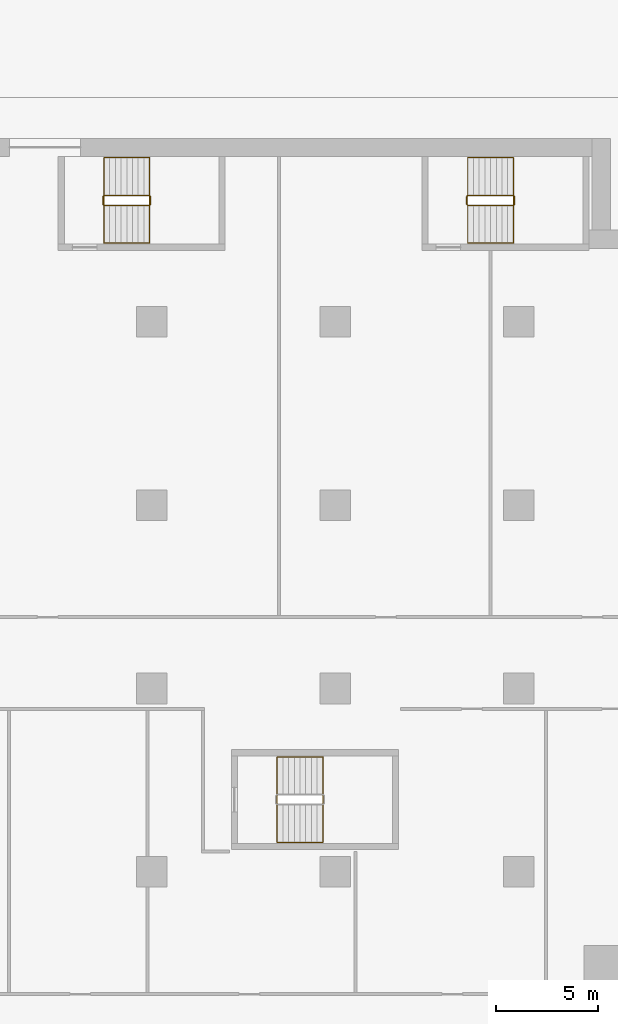
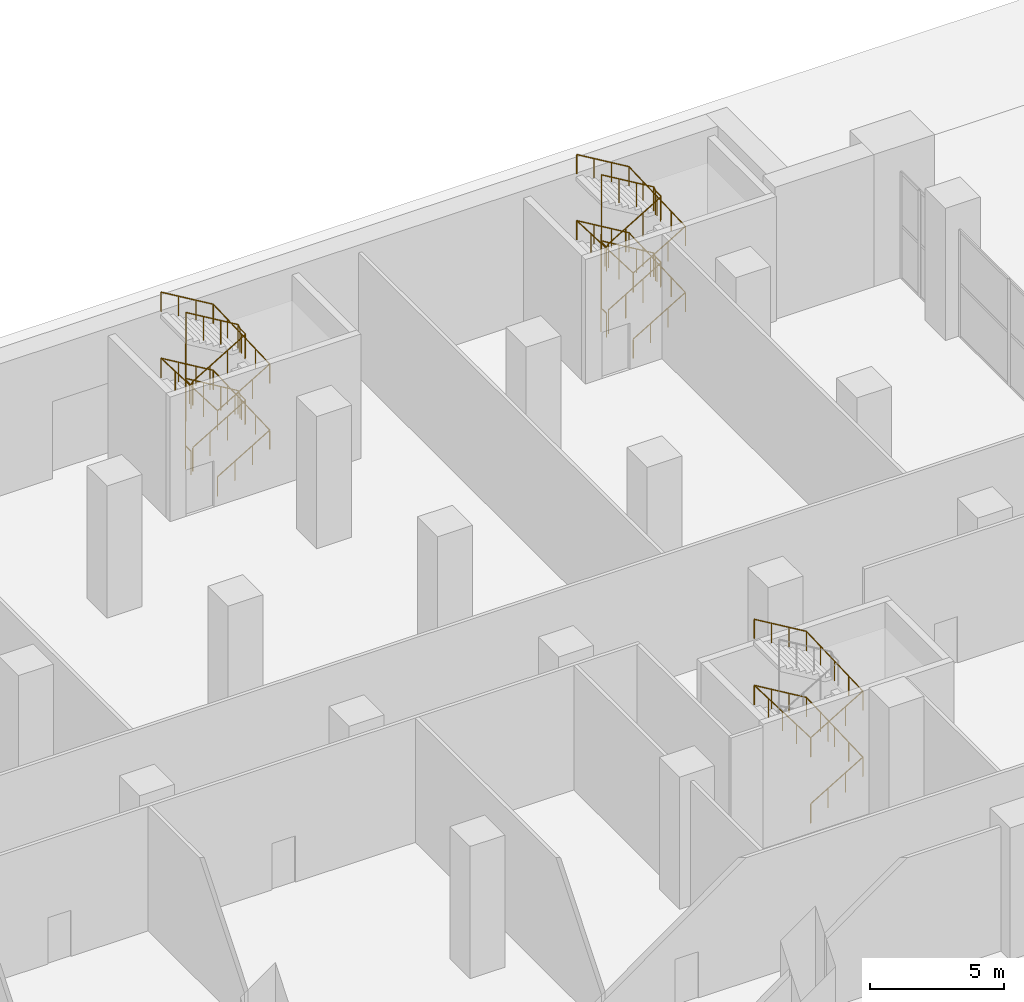
# One storey, part 42 of 47: 5 railings.
"""IFC4 building model written with IfcOpenShell, lengths in metres."""

from ifc_helpers import new_model, si_unit, direction, frame, origin, origin_2d, place, context, subcontext, project, spatial, circle, extrude, material, type_object, element, save


model = new_model("IFC4")

# Units and contexts
model_context = context("Model", 3, precision=1e-05, world=origin(), true_north=direction((0.0, 1.0)))
body_context = subcontext(model_context, "Body", "Model", "MODEL_VIEW")
ifc_project = project(units=[si_unit("LENGTHUNIT", "METRE"), si_unit("AREAUNIT", "SQUARE_METRE"), si_unit("VOLUMEUNIT", "CUBIC_METRE"), si_unit("PLANEANGLEUNIT", "RADIAN"), si_unit("MASSUNIT", "GRAM", prefix="KILO")], contexts=[model_context])

# Site, building, storey
site_placement = place(None, origin())
site = spatial("IfcSite", under=ifc_project, at=site_placement, CompositionType="ELEMENT")
building_placement = place(site_placement, origin())
building = spatial("IfcBuilding", under=site, at=building_placement, Name="Hunhe Ridgeline Campus", CompositionType="ELEMENT")
storey_placement = place(building_placement, origin())
storey = spatial("IfcBuildingStorey", under=building, at=storey_placement, Name="L00", CompositionType="ELEMENT", Elevation=0.0)

# Railings
ifc_material_1 = material(Name="Stainless steel balustrade", Category="steel")
railing_type_1 = type_object("IfcRailingType", Name="Stair guard 1100 stainless", PredefinedType="GUARDRAIL", material=ifc_material_1)
railing_1_placement = place(storey_placement, frame((69.64990234375, 95.699951171875, 0.166748046875)))
element("IfcRailing", 1, at=railing_1_placement, inside=storey, type_object=railing_type_1, Name="L00 stair E3 guard", PredefinedType="GUARDRAIL", context=body_context, shape_type="SweptSolid", body=[
    extrude(circle(Radius=0.02392578125, at=origin_2d()), frame((0.0, 0.0, 1.076171875), z_axis=(0.859305625298, 0.0, 0.511462454469), x_axis=(0.0, 1.0, 0.0)), (0.0, 0.0, 1.0), 2.606689453125),
    extrude(circle(Radius=0.02392578125, at=origin_2d()), frame((2.239990234375, 0.0, 2.4091796875), z_axis=(0.707106781187, 0.707106781187, 0.0), x_axis=(-0.707106781187, 0.707106781187, 0.0)), (0.0, 0.0, 1.0), 0.07080078125),
    extrude(circle(Radius=0.02392578125, at=origin_2d()), frame((2.2900390625, 0.050048828125, 2.4091796875), z_axis=(0.0, 1.0, 0.0), x_axis=(-1.0, 0.0, 0.0)), (0.0, 0.0, 1.0), 0.39990234375),
    extrude(circle(Radius=0.02392578125, at=origin_2d()), frame((2.2900390625, 0.449951171875, 2.4091796875), z_axis=(-0.27628659633, 0.27628659633, 0.920506074601), x_axis=(-0.707106781187, -0.707106781187, 0.0)), (0.0, 0.0, 1.0), 0.18115234375),
    extrude(circle(Radius=0.02392578125, at=origin_2d()), frame((2.239990234375, 0.5, 2.576171875), z_axis=(-0.859305625298, 0.0, 0.511462454469), x_axis=(0.0, -1.0, 0.0)), (0.0, 0.0, 1.0), 2.606689453125),
    extrude(circle(Radius=0.02392578125, at=origin_2d()), frame((0.0, 0.5, 3.9091796875), z_axis=(-0.705375805398, -0.708833529934, 0.0), x_axis=(0.708833529934, -0.705375805398, 0.0)), (0.0, 0.0, 1.0), 0.070556640625),
    extrude(circle(Radius=0.02392578125, at=origin_2d()), frame((-0.0498046875, 0.449951171875, 3.9091796875), z_axis=(0.0, -1.0, 0.0), x_axis=(1.0, 0.0, 0.0)), (0.0, 0.0, 1.0), 0.39990234375),
    extrude(circle(Radius=0.02392578125, at=origin_2d()), frame((-0.0498046875, 0.050048828125, 3.9091796875), z_axis=(0.275041040955, -0.276389281352, 0.920848191041), x_axis=(0.708833529934, 0.705375805398, 0.0)), (0.0, 0.0, 1.0), 0.18115234375),
    extrude(circle(Radius=0.02392578125, at=origin_2d()), frame((0.0, 0.0, 4.076171875), z_axis=(0.859305625298, 0.0, 0.511462454469), x_axis=(0.0, 1.0, 0.0)), (0.0, 0.0, 1.0), 2.606689453125),
    extrude(circle(Radius=0.02392578125, at=origin_2d()), frame((2.239990234375, 0.0, 5.4091796875), z_axis=(0.707106781187, 0.707106781187, 0.0), x_axis=(-0.707106781187, 0.707106781187, 0.0)), (0.0, 0.0, 1.0), 0.07080078125),
    extrude(circle(Radius=0.02392578125, at=origin_2d()), frame((2.2900390625, 0.050048828125, 5.4091796875), z_axis=(0.0, 1.0, 0.0), x_axis=(-1.0, 0.0, 0.0)), (0.0, 0.0, 1.0), 0.39990234375),
    extrude(circle(Radius=0.02392578125, at=origin_2d()), frame((2.2900390625, 0.449951171875, 5.4091796875), z_axis=(-0.27628659633, 0.27628659633, 0.920506074601), x_axis=(-0.707106781187, -0.707106781187, 0.0)), (0.0, 0.0, 1.0), 0.18115234375),
    extrude(circle(Radius=0.02392578125, at=origin_2d()), frame((2.239990234375, 0.5, 5.576171875), z_axis=(-0.859305625298, 0.0, 0.511462454469), x_axis=(0.0, -1.0, 0.0)), (0.0, 0.0, 1.0), 2.606689453125),
    extrude(circle(Radius=0.02392578125, at=origin_2d()), frame((0.0, 0.5, 6.9091796875), z_axis=(-0.008300206551, -0.008340893838, -0.999930765634), x_axis=(1.0, 0.0, 0.0)), (0.0, 0.0, 1.0), 6.00048828125),
    extrude(circle(Radius=0.02392578125, at=origin_2d()), frame((-0.0498046875, 0.449951171875, 0.9091796875), z_axis=(0.0, -1.0, 0.0), x_axis=(1.0, 0.0, 0.0)), (0.0, 0.0, 1.0), 0.39990234375),
    extrude(circle(Radius=0.02099609375, at=origin_2d()), origin(), (0.0, 0.0, 1.0), 1.052001953125),
    extrude(circle(Radius=0.02099609375, at=origin_2d()), frame((0.74658203125, 0.0, 0.4443359375)), (0.0, 0.0, 1.0), 1.052001953125),
    extrude(circle(Radius=0.02099609375, at=origin_2d()), frame((1.493408203125, 0.0, 0.888916015625)), (0.0, 0.0, 1.0), 1.052001953125),
    extrude(circle(Radius=0.02099609375, at=origin_2d()), frame((2.239990234375, 0.0, 1.333251953125)), (0.0, 0.0, 1.0), 1.052001953125),
    extrude(circle(Radius=0.02099609375, at=origin_2d()), frame((2.2900390625, 0.050048828125, 1.333251953125)), (0.0, 0.0, 1.0), 1.052001953125),
    extrude(circle(Radius=0.02099609375, at=origin_2d()), frame((2.2900390625, 0.449951171875, 1.333251953125)), (0.0, 0.0, 1.0), 1.052001953125),
    extrude(circle(Radius=0.02099609375, at=origin_2d()), frame((2.239990234375, 0.5, 1.5)), (0.0, 0.0, 1.0), 1.052001953125),
    extrude(circle(Radius=0.02099609375, at=origin_2d()), frame((1.493408203125, 0.5, 1.9443359375)), (0.0, 0.0, 1.0), 1.052001953125),
    extrude(circle(Radius=0.02099609375, at=origin_2d()), frame((0.74658203125, 0.5, 2.388916015625)), (0.0, 0.0, 1.0), 1.052001953125),
    extrude(circle(Radius=0.02099609375, at=origin_2d()), frame((0.0, 0.5, 2.833251953125)), (0.0, 0.0, 1.0), 1.052001953125),
    extrude(circle(Radius=0.02099609375, at=origin_2d()), frame((-0.0498046875, 0.449951171875, 2.833251953125)), (0.0, 0.0, 1.0), 1.052001953125),
    extrude(circle(Radius=0.02099609375, at=origin_2d()), frame((-0.0498046875, 0.050048828125, 2.833251953125)), (0.0, 0.0, 1.0), 1.052001953125),
    extrude(circle(Radius=0.02099609375, at=origin_2d()), frame((0.0, 0.0, 3.0)), (0.0, 0.0, 1.0), 1.052001953125),
    extrude(circle(Radius=0.02099609375, at=origin_2d()), frame((0.74658203125, 0.0, 3.4443359375)), (0.0, 0.0, 1.0), 1.052001953125),
    extrude(circle(Radius=0.02099609375, at=origin_2d()), frame((1.493408203125, 0.0, 3.888916015625)), (0.0, 0.0, 1.0), 1.052001953125),
    extrude(circle(Radius=0.02099609375, at=origin_2d()), frame((2.239990234375, 0.0, 4.333251953125)), (0.0, 0.0, 1.0), 1.052001953125),
    extrude(circle(Radius=0.02099609375, at=origin_2d()), frame((2.2900390625, 0.050048828125, 4.333251953125)), (0.0, 0.0, 1.0), 1.052001953125),
    extrude(circle(Radius=0.02099609375, at=origin_2d()), frame((2.2900390625, 0.449951171875, 4.333251953125)), (0.0, 0.0, 1.0), 1.052001953125),
    extrude(circle(Radius=0.02099609375, at=origin_2d()), frame((2.239990234375, 0.5, 4.5)), (0.0, 0.0, 1.0), 1.052001953125),
    extrude(circle(Radius=0.02099609375, at=origin_2d()), frame((1.493408203125, 0.5, 4.9443359375)), (0.0, 0.0, 1.0), 1.052001953125),
    extrude(circle(Radius=0.02099609375, at=origin_2d()), frame((0.74658203125, 0.5, 5.388916015625)), (0.0, 0.0, 1.0), 1.052001953125),
    extrude(circle(Radius=0.02099609375, at=origin_2d()), frame((0.0, 0.5, 5.833251953125)), (0.0, 0.0, 1.0), 1.052001953125),
    extrude(circle(Radius=0.02099609375, at=origin_2d()), frame((-0.00830078125, 0.49169921875, 4.833251953125)), (0.0, 0.0, 1.0), 1.052001953125),
    extrude(circle(Radius=0.02099609375, at=origin_2d()), frame((-0.0166015625, 0.4833984375, 3.833251953125)), (0.0, 0.0, 1.0), 1.052001953125),
    extrude(circle(Radius=0.02099609375, at=origin_2d()), frame((-0.02490234375, 0.47509765625, 2.833251953125)), (0.0, 0.0, 1.0), 1.052001953125),
    extrude(circle(Radius=0.02099609375, at=origin_2d()), frame((-0.033203125, 0.466552734375, 1.833251953125)), (0.0, 0.0, 1.0), 1.052001953125),
    extrude(circle(Radius=0.02099609375, at=origin_2d()), frame((-0.04150390625, 0.458251953125, 0.833251953125)), (0.0, 0.0, 1.0), 1.052001953125),
    extrude(circle(Radius=0.02099609375, at=origin_2d()), frame((-0.0498046875, 0.449951171875, -0.166748046875)), (0.0, 0.0, 1.0), 1.052001953125),
    extrude(circle(Radius=0.02099609375, at=origin_2d()), frame((-0.0498046875, 0.050048828125, -0.166748046875)), (0.0, 0.0, 1.0), 1.052001953125),
])
railing_2_placement = place(storey_placement, frame((87.5, 95.699951171875, 0.166748046875)))
element("IfcRailing", 2, at=railing_2_placement, inside=storey, type_object=railing_type_1, Name="L00 stair E4 guard", PredefinedType="GUARDRAIL", context=body_context, shape_type="SweptSolid", body=[
    extrude(circle(Radius=0.02392578125, at=origin_2d()), frame((0.0, 0.0, 1.076171875), z_axis=(0.859305625298, 0.0, 0.511462454469), x_axis=(0.0, 1.0, 0.0)), (0.0, 0.0, 1.0), 2.606689453125),
    extrude(circle(Radius=0.02392578125, at=origin_2d()), frame((2.239990234375, 0.0, 2.4091796875), z_axis=(0.707106781187, 0.707106781187, 0.0), x_axis=(-0.707106781187, 0.707106781187, 0.0)), (0.0, 0.0, 1.0), 0.07080078125),
    extrude(circle(Radius=0.02392578125, at=origin_2d()), frame((2.2900390625, 0.050048828125, 2.4091796875), z_axis=(0.0, 1.0, 0.0), x_axis=(-1.0, 0.0, 0.0)), (0.0, 0.0, 1.0), 0.39990234375),
    extrude(circle(Radius=0.02392578125, at=origin_2d()), frame((2.2900390625, 0.449951171875, 2.4091796875), z_axis=(-0.27628659633, 0.27628659633, 0.920506074601), x_axis=(-0.707106781187, -0.707106781187, 0.0)), (0.0, 0.0, 1.0), 0.18115234375),
    extrude(circle(Radius=0.02392578125, at=origin_2d()), frame((2.239990234375, 0.5, 2.576171875), z_axis=(-0.859305625298, 0.0, 0.511462454469), x_axis=(0.0, -1.0, 0.0)), (0.0, 0.0, 1.0), 2.606689453125),
    extrude(circle(Radius=0.02392578125, at=origin_2d()), frame((0.0, 0.5, 3.9091796875), z_axis=(-0.707106781187, -0.707106781187, 0.0), x_axis=(0.707106781187, -0.707106781187, 0.0)), (0.0, 0.0, 1.0), 0.07080078125),
    extrude(circle(Radius=0.02392578125, at=origin_2d()), frame((-0.050048828125, 0.449951171875, 3.9091796875), z_axis=(0.0, -1.0, 0.0), x_axis=(1.0, 0.0, 0.0)), (0.0, 0.0, 1.0), 0.39990234375),
    extrude(circle(Radius=0.02392578125, at=origin_2d()), frame((-0.050048828125, 0.050048828125, 3.9091796875), z_axis=(0.27628659633, -0.27628659633, 0.920506074601), x_axis=(0.707106781187, 0.707106781187, 0.0)), (0.0, 0.0, 1.0), 0.18115234375),
    extrude(circle(Radius=0.02392578125, at=origin_2d()), frame((0.0, 0.0, 4.076171875), z_axis=(0.859305625298, 0.0, 0.511462454469), x_axis=(0.0, 1.0, 0.0)), (0.0, 0.0, 1.0), 2.606689453125),
    extrude(circle(Radius=0.02392578125, at=origin_2d()), frame((2.239990234375, 0.0, 5.4091796875), z_axis=(0.707106781187, 0.707106781187, 0.0), x_axis=(-0.707106781187, 0.707106781187, 0.0)), (0.0, 0.0, 1.0), 0.07080078125),
    extrude(circle(Radius=0.02392578125, at=origin_2d()), frame((2.2900390625, 0.050048828125, 5.4091796875), z_axis=(0.0, 1.0, 0.0), x_axis=(-1.0, 0.0, 0.0)), (0.0, 0.0, 1.0), 0.39990234375),
    extrude(circle(Radius=0.02392578125, at=origin_2d()), frame((2.2900390625, 0.449951171875, 5.4091796875), z_axis=(-0.27628659633, 0.27628659633, 0.920506074601), x_axis=(-0.707106781187, -0.707106781187, 0.0)), (0.0, 0.0, 1.0), 0.18115234375),
    extrude(circle(Radius=0.02392578125, at=origin_2d()), frame((2.239990234375, 0.5, 5.576171875), z_axis=(-0.859305625298, 0.0, 0.511462454469), x_axis=(0.0, -1.0, 0.0)), (0.0, 0.0, 1.0), 2.606689453125),
    extrude(circle(Radius=0.02392578125, at=origin_2d()), frame((0.0, 0.5, 6.9091796875), z_axis=(-0.008340891014, -0.008340891014, -0.999930427117), x_axis=(1.0, 0.0, 0.0)), (0.0, 0.0, 1.0), 6.00048828125),
    extrude(circle(Radius=0.02392578125, at=origin_2d()), frame((-0.050048828125, 0.449951171875, 0.9091796875), z_axis=(0.0, -1.0, 0.0), x_axis=(1.0, 0.0, 0.0)), (0.0, 0.0, 1.0), 0.39990234375),
    extrude(circle(Radius=0.02099609375, at=origin_2d()), origin(), (0.0, 0.0, 1.0), 1.052001953125),
    extrude(circle(Radius=0.02099609375, at=origin_2d()), frame((0.74658203125, 0.0, 0.4443359375)), (0.0, 0.0, 1.0), 1.052001953125),
    extrude(circle(Radius=0.02099609375, at=origin_2d()), frame((1.493408203125, 0.0, 0.888916015625)), (0.0, 0.0, 1.0), 1.052001953125),
    extrude(circle(Radius=0.02099609375, at=origin_2d()), frame((2.239990234375, 0.0, 1.333251953125)), (0.0, 0.0, 1.0), 1.052001953125),
    extrude(circle(Radius=0.02099609375, at=origin_2d()), frame((2.2900390625, 0.050048828125, 1.333251953125)), (0.0, 0.0, 1.0), 1.052001953125),
    extrude(circle(Radius=0.02099609375, at=origin_2d()), frame((2.2900390625, 0.449951171875, 1.333251953125)), (0.0, 0.0, 1.0), 1.052001953125),
    extrude(circle(Radius=0.02099609375, at=origin_2d()), frame((2.239990234375, 0.5, 1.5)), (0.0, 0.0, 1.0), 1.052001953125),
    extrude(circle(Radius=0.02099609375, at=origin_2d()), frame((1.493408203125, 0.5, 1.9443359375)), (0.0, 0.0, 1.0), 1.052001953125),
    extrude(circle(Radius=0.02099609375, at=origin_2d()), frame((0.74658203125, 0.5, 2.388916015625)), (0.0, 0.0, 1.0), 1.052001953125),
    extrude(circle(Radius=0.02099609375, at=origin_2d()), frame((0.0, 0.5, 2.833251953125)), (0.0, 0.0, 1.0), 1.052001953125),
    extrude(circle(Radius=0.02099609375, at=origin_2d()), frame((-0.050048828125, 0.449951171875, 2.833251953125)), (0.0, 0.0, 1.0), 1.052001953125),
    extrude(circle(Radius=0.02099609375, at=origin_2d()), frame((-0.050048828125, 0.050048828125, 2.833251953125)), (0.0, 0.0, 1.0), 1.052001953125),
    extrude(circle(Radius=0.02099609375, at=origin_2d()), frame((0.0, 0.0, 3.0)), (0.0, 0.0, 1.0), 1.052001953125),
    extrude(circle(Radius=0.02099609375, at=origin_2d()), frame((0.74658203125, 0.0, 3.4443359375)), (0.0, 0.0, 1.0), 1.052001953125),
    extrude(circle(Radius=0.02099609375, at=origin_2d()), frame((1.493408203125, 0.0, 3.888916015625)), (0.0, 0.0, 1.0), 1.052001953125),
    extrude(circle(Radius=0.02099609375, at=origin_2d()), frame((2.239990234375, 0.0, 4.333251953125)), (0.0, 0.0, 1.0), 1.052001953125),
    extrude(circle(Radius=0.02099609375, at=origin_2d()), frame((2.2900390625, 0.050048828125, 4.333251953125)), (0.0, 0.0, 1.0), 1.052001953125),
    extrude(circle(Radius=0.02099609375, at=origin_2d()), frame((2.2900390625, 0.449951171875, 4.333251953125)), (0.0, 0.0, 1.0), 1.052001953125),
    extrude(circle(Radius=0.02099609375, at=origin_2d()), frame((2.239990234375, 0.5, 4.5)), (0.0, 0.0, 1.0), 1.052001953125),
    extrude(circle(Radius=0.02099609375, at=origin_2d()), frame((1.493408203125, 0.5, 4.9443359375)), (0.0, 0.0, 1.0), 1.052001953125),
    extrude(circle(Radius=0.02099609375, at=origin_2d()), frame((0.74658203125, 0.5, 5.388916015625)), (0.0, 0.0, 1.0), 1.052001953125),
    extrude(circle(Radius=0.02099609375, at=origin_2d()), frame((0.0, 0.5, 5.833251953125)), (0.0, 0.0, 1.0), 1.052001953125),
    extrude(circle(Radius=0.02099609375, at=origin_2d()), frame((-0.00830078125, 0.49169921875, 4.833251953125)), (0.0, 0.0, 1.0), 1.052001953125),
    extrude(circle(Radius=0.02099609375, at=origin_2d()), frame((-0.0166015625, 0.4833984375, 3.833251953125)), (0.0, 0.0, 1.0), 1.052001953125),
    extrude(circle(Radius=0.02099609375, at=origin_2d()), frame((-0.02490234375, 0.47509765625, 2.833251953125)), (0.0, 0.0, 1.0), 1.052001953125),
    extrude(circle(Radius=0.02099609375, at=origin_2d()), frame((-0.033447265625, 0.466552734375, 1.833251953125)), (0.0, 0.0, 1.0), 1.052001953125),
    extrude(circle(Radius=0.02099609375, at=origin_2d()), frame((-0.041748046875, 0.458251953125, 0.833251953125)), (0.0, 0.0, 1.0), 1.052001953125),
    extrude(circle(Radius=0.02099609375, at=origin_2d()), frame((-0.050048828125, 0.449951171875, -0.166748046875)), (0.0, 0.0, 1.0), 1.052001953125),
    extrude(circle(Radius=0.02099609375, at=origin_2d()), frame((-0.050048828125, 0.050048828125, -0.166748046875)), (0.0, 0.0, 1.0), 1.052001953125),
])
ifc_material_2 = material(Name="Stainless steel handrail", Category="steel")
railing_type_2 = type_object("IfcRailingType", Name="Stair handrail 900 stainless", PredefinedType="HANDRAIL", material=ifc_material_2)
railing_3_placement = place(storey_placement, frame((69.64990234375, 93.85009765625, 0.166748046875)))
element("IfcRailing", 3, at=railing_3_placement, inside=storey, type_object=railing_type_2, Name="L00 stair E3 handrail", PredefinedType="HANDRAIL", context=body_context, shape_type="SweptSolid", body=[
    extrude(circle(Radius=0.02392578125, at=origin_2d()), frame((0.0, 0.0, 0.8759765625), z_axis=(0.859305625298, 0.0, 0.511462454469), x_axis=(0.0, 1.0, 0.0)), (0.0, 0.0, 1.0), 2.606689453125),
    extrude(circle(Radius=0.02392578125, at=origin_2d()), frame((2.239990234375, 0.0, 2.208984375), z_axis=(0.0, 0.999212791134, 0.039671123429), x_axis=(-1.0, 0.0, 0.0)), (0.0, 0.0, 1.0), 4.203369140625),
    extrude(circle(Radius=0.02392578125, at=origin_2d()), frame((2.239990234375, 4.199951171875, 2.3759765625), z_axis=(-0.859305625298, 0.0, 0.511462454469), x_axis=(0.0, -1.0, 0.0)), (0.0, 0.0, 1.0), 2.606689453125),
    extrude(circle(Radius=0.02392578125, at=origin_2d()), frame((0.0, 4.199951171875, 3.708984375), z_axis=(0.0, -0.999212791134, 0.039671123429), x_axis=(1.0, 0.0, 0.0)), (0.0, 0.0, 1.0), 4.203369140625),
    extrude(circle(Radius=0.02392578125, at=origin_2d()), frame((0.0, 0.0, 3.8759765625), z_axis=(0.859305625298, 0.0, 0.511462454469), x_axis=(0.0, 1.0, 0.0)), (0.0, 0.0, 1.0), 2.606689453125),
    extrude(circle(Radius=0.02392578125, at=origin_2d()), frame((2.239990234375, 0.0, 5.208984375), z_axis=(0.0, 0.999212791134, 0.039671123429), x_axis=(-1.0, 0.0, 0.0)), (0.0, 0.0, 1.0), 4.203369140625),
    extrude(circle(Radius=0.02392578125, at=origin_2d()), frame((2.239990234375, 4.199951171875, 5.3759765625), z_axis=(-0.859305625298, 0.0, 0.511462454469), x_axis=(0.0, -1.0, 0.0)), (0.0, 0.0, 1.0), 2.606689453125),
    extrude(circle(Radius=0.02099609375, at=origin_2d()), origin(), (0.0, 0.0, 1.0), 0.851806640625),
    extrude(circle(Radius=0.02099609375, at=origin_2d()), frame((0.74658203125, 0.0, 0.4443359375)), (0.0, 0.0, 1.0), 0.851806640625),
    extrude(circle(Radius=0.02099609375, at=origin_2d()), frame((1.493408203125, 0.0, 0.888916015625)), (0.0, 0.0, 1.0), 0.851806640625),
    extrude(circle(Radius=0.02099609375, at=origin_2d()), frame((2.239990234375, 0.0, 1.333251953125)), (0.0, 0.0, 1.0), 0.851806640625),
    extrude(circle(Radius=0.02099609375, at=origin_2d()), frame((2.239990234375, 1.050048828125, 1.375)), (0.0, 0.0, 1.0), 0.851806640625),
    extrude(circle(Radius=0.02099609375, at=origin_2d()), frame((2.239990234375, 2.10009765625, 1.41650390625)), (0.0, 0.0, 1.0), 0.851806640625),
    extrude(circle(Radius=0.02099609375, at=origin_2d()), frame((2.239990234375, 3.14990234375, 1.458251953125)), (0.0, 0.0, 1.0), 0.851806640625),
    extrude(circle(Radius=0.02099609375, at=origin_2d()), frame((2.239990234375, 4.199951171875, 1.5)), (0.0, 0.0, 1.0), 0.851806640625),
    extrude(circle(Radius=0.02099609375, at=origin_2d()), frame((1.493408203125, 4.199951171875, 1.9443359375)), (0.0, 0.0, 1.0), 0.851806640625),
    extrude(circle(Radius=0.02099609375, at=origin_2d()), frame((0.74658203125, 4.199951171875, 2.388916015625)), (0.0, 0.0, 1.0), 0.851806640625),
    extrude(circle(Radius=0.02099609375, at=origin_2d()), frame((0.0, 4.199951171875, 2.833251953125)), (0.0, 0.0, 1.0), 0.851806640625),
    extrude(circle(Radius=0.02099609375, at=origin_2d()), frame((0.0, 3.14990234375, 2.875)), (0.0, 0.0, 1.0), 0.851806640625),
    extrude(circle(Radius=0.02099609375, at=origin_2d()), frame((0.0, 2.10009765625, 2.91650390625)), (0.0, 0.0, 1.0), 0.851806640625),
    extrude(circle(Radius=0.02099609375, at=origin_2d()), frame((0.0, 1.050048828125, 2.958251953125)), (0.0, 0.0, 1.0), 0.851806640625),
    extrude(circle(Radius=0.02099609375, at=origin_2d()), frame((0.0, 0.0, 3.0)), (0.0, 0.0, 1.0), 0.851806640625),
    extrude(circle(Radius=0.02099609375, at=origin_2d()), frame((0.74658203125, 0.0, 3.4443359375)), (0.0, 0.0, 1.0), 0.851806640625),
    extrude(circle(Radius=0.02099609375, at=origin_2d()), frame((1.493408203125, 0.0, 3.888916015625)), (0.0, 0.0, 1.0), 0.851806640625),
    extrude(circle(Radius=0.02099609375, at=origin_2d()), frame((2.239990234375, 0.0, 4.333251953125)), (0.0, 0.0, 1.0), 0.851806640625),
    extrude(circle(Radius=0.02099609375, at=origin_2d()), frame((2.239990234375, 1.050048828125, 4.375)), (0.0, 0.0, 1.0), 0.851806640625),
    extrude(circle(Radius=0.02099609375, at=origin_2d()), frame((2.239990234375, 2.10009765625, 4.41650390625)), (0.0, 0.0, 1.0), 0.851806640625),
    extrude(circle(Radius=0.02099609375, at=origin_2d()), frame((2.239990234375, 3.14990234375, 4.458251953125)), (0.0, 0.0, 1.0), 0.851806640625),
    extrude(circle(Radius=0.02099609375, at=origin_2d()), frame((2.239990234375, 4.199951171875, 4.5)), (0.0, 0.0, 1.0), 0.851806640625),
    extrude(circle(Radius=0.02099609375, at=origin_2d()), frame((1.493408203125, 4.199951171875, 4.9443359375)), (0.0, 0.0, 1.0), 0.851806640625),
    extrude(circle(Radius=0.02099609375, at=origin_2d()), frame((0.74658203125, 4.199951171875, 5.388916015625)), (0.0, 0.0, 1.0), 0.851806640625),
    extrude(circle(Radius=0.02099609375, at=origin_2d()), frame((0.0, 4.199951171875, 5.833251953125)), (0.0, 0.0, 1.0), 0.851806640625),
])
railing_4_placement = place(storey_placement, frame((87.5, 93.85009765625, 0.166748046875)))
element("IfcRailing", 4, at=railing_4_placement, inside=storey, type_object=railing_type_2, Name="L00 stair E4 handrail", PredefinedType="HANDRAIL", context=body_context, shape_type="SweptSolid", body=[
    extrude(circle(Radius=0.02392578125, at=origin_2d()), frame((0.0, 0.0, 0.8759765625), z_axis=(0.859305625298, 0.0, 0.511462454469), x_axis=(0.0, 1.0, 0.0)), (0.0, 0.0, 1.0), 2.606689453125),
    extrude(circle(Radius=0.02392578125, at=origin_2d()), frame((2.239990234375, 0.0, 2.208984375), z_axis=(0.0, 0.999212791134, 0.039671123429), x_axis=(-1.0, 0.0, 0.0)), (0.0, 0.0, 1.0), 4.203369140625),
    extrude(circle(Radius=0.02392578125, at=origin_2d()), frame((2.239990234375, 4.199951171875, 2.3759765625), z_axis=(-0.859305625298, 0.0, 0.511462454469), x_axis=(0.0, -1.0, 0.0)), (0.0, 0.0, 1.0), 2.606689453125),
    extrude(circle(Radius=0.02392578125, at=origin_2d()), frame((0.0, 4.199951171875, 3.708984375), z_axis=(0.0, -0.999212791134, 0.039671123429), x_axis=(1.0, 0.0, 0.0)), (0.0, 0.0, 1.0), 4.203369140625),
    extrude(circle(Radius=0.02392578125, at=origin_2d()), frame((0.0, 0.0, 3.8759765625), z_axis=(0.859305625298, 0.0, 0.511462454469), x_axis=(0.0, 1.0, 0.0)), (0.0, 0.0, 1.0), 2.606689453125),
    extrude(circle(Radius=0.02392578125, at=origin_2d()), frame((2.239990234375, 0.0, 5.208984375), z_axis=(0.0, 0.999212791134, 0.039671123429), x_axis=(-1.0, 0.0, 0.0)), (0.0, 0.0, 1.0), 4.203369140625),
    extrude(circle(Radius=0.02392578125, at=origin_2d()), frame((2.239990234375, 4.199951171875, 5.3759765625), z_axis=(-0.859305625298, 0.0, 0.511462454469), x_axis=(0.0, -1.0, 0.0)), (0.0, 0.0, 1.0), 2.606689453125),
    extrude(circle(Radius=0.02099609375, at=origin_2d()), origin(), (0.0, 0.0, 1.0), 0.851806640625),
    extrude(circle(Radius=0.02099609375, at=origin_2d()), frame((0.74658203125, 0.0, 0.4443359375)), (0.0, 0.0, 1.0), 0.851806640625),
    extrude(circle(Radius=0.02099609375, at=origin_2d()), frame((1.493408203125, 0.0, 0.888916015625)), (0.0, 0.0, 1.0), 0.851806640625),
    extrude(circle(Radius=0.02099609375, at=origin_2d()), frame((2.239990234375, 0.0, 1.333251953125)), (0.0, 0.0, 1.0), 0.851806640625),
    extrude(circle(Radius=0.02099609375, at=origin_2d()), frame((2.239990234375, 1.050048828125, 1.375)), (0.0, 0.0, 1.0), 0.851806640625),
    extrude(circle(Radius=0.02099609375, at=origin_2d()), frame((2.239990234375, 2.10009765625, 1.41650390625)), (0.0, 0.0, 1.0), 0.851806640625),
    extrude(circle(Radius=0.02099609375, at=origin_2d()), frame((2.239990234375, 3.14990234375, 1.458251953125)), (0.0, 0.0, 1.0), 0.851806640625),
    extrude(circle(Radius=0.02099609375, at=origin_2d()), frame((2.239990234375, 4.199951171875, 1.5)), (0.0, 0.0, 1.0), 0.851806640625),
    extrude(circle(Radius=0.02099609375, at=origin_2d()), frame((1.493408203125, 4.199951171875, 1.9443359375)), (0.0, 0.0, 1.0), 0.851806640625),
    extrude(circle(Radius=0.02099609375, at=origin_2d()), frame((0.74658203125, 4.199951171875, 2.388916015625)), (0.0, 0.0, 1.0), 0.851806640625),
    extrude(circle(Radius=0.02099609375, at=origin_2d()), frame((0.0, 4.199951171875, 2.833251953125)), (0.0, 0.0, 1.0), 0.851806640625),
    extrude(circle(Radius=0.02099609375, at=origin_2d()), frame((0.0, 3.14990234375, 2.875)), (0.0, 0.0, 1.0), 0.851806640625),
    extrude(circle(Radius=0.02099609375, at=origin_2d()), frame((0.0, 2.10009765625, 2.91650390625)), (0.0, 0.0, 1.0), 0.851806640625),
    extrude(circle(Radius=0.02099609375, at=origin_2d()), frame((0.0, 1.050048828125, 2.958251953125)), (0.0, 0.0, 1.0), 0.851806640625),
    extrude(circle(Radius=0.02099609375, at=origin_2d()), frame((0.0, 0.0, 3.0)), (0.0, 0.0, 1.0), 0.851806640625),
    extrude(circle(Radius=0.02099609375, at=origin_2d()), frame((0.74658203125, 0.0, 3.4443359375)), (0.0, 0.0, 1.0), 0.851806640625),
    extrude(circle(Radius=0.02099609375, at=origin_2d()), frame((1.493408203125, 0.0, 3.888916015625)), (0.0, 0.0, 1.0), 0.851806640625),
    extrude(circle(Radius=0.02099609375, at=origin_2d()), frame((2.239990234375, 0.0, 4.333251953125)), (0.0, 0.0, 1.0), 0.851806640625),
    extrude(circle(Radius=0.02099609375, at=origin_2d()), frame((2.239990234375, 1.050048828125, 4.375)), (0.0, 0.0, 1.0), 0.851806640625),
    extrude(circle(Radius=0.02099609375, at=origin_2d()), frame((2.239990234375, 2.10009765625, 4.41650390625)), (0.0, 0.0, 1.0), 0.851806640625),
    extrude(circle(Radius=0.02099609375, at=origin_2d()), frame((2.239990234375, 3.14990234375, 4.458251953125)), (0.0, 0.0, 1.0), 0.851806640625),
    extrude(circle(Radius=0.02099609375, at=origin_2d()), frame((2.239990234375, 4.199951171875, 4.5)), (0.0, 0.0, 1.0), 0.851806640625),
    extrude(circle(Radius=0.02099609375, at=origin_2d()), frame((1.493408203125, 4.199951171875, 4.9443359375)), (0.0, 0.0, 1.0), 0.851806640625),
    extrude(circle(Radius=0.02099609375, at=origin_2d()), frame((0.74658203125, 4.199951171875, 5.388916015625)), (0.0, 0.0, 1.0), 0.851806640625),
    extrude(circle(Radius=0.02099609375, at=origin_2d()), frame((0.0, 4.199951171875, 5.833251953125)), (0.0, 0.0, 1.0), 0.851806640625),
])
railing_5_placement = place(storey_placement, frame((78.14990234375, 64.449951171875, 0.166748046875)))
element("IfcRailing", 5, at=railing_5_placement, inside=storey, type_object=railing_type_2, Name="L00 stair E5 handrail", PredefinedType="HANDRAIL", context=body_context, shape_type="SweptSolid", body=[
    extrude(circle(Radius=0.02392578125, at=origin_2d()), frame((0.0, 0.0, 0.8759765625), z_axis=(0.859305625298, 0.0, 0.511462454469), x_axis=(0.0, 1.0, 0.0)), (0.0, 0.0, 1.0), 2.606689453125),
    extrude(circle(Radius=0.02392578125, at=origin_2d()), frame((2.239990234375, 0.0, 2.208984375), z_axis=(0.0, 0.999212791134, 0.039671123429), x_axis=(-1.0, 0.0, 0.0)), (0.0, 0.0, 1.0), 4.203369140625),
    extrude(circle(Radius=0.02392578125, at=origin_2d()), frame((2.239990234375, 4.199951171875, 2.3759765625), z_axis=(-0.859305625298, 0.0, 0.511462454469), x_axis=(0.0, -1.0, 0.0)), (0.0, 0.0, 1.0), 2.606689453125),
    extrude(circle(Radius=0.02392578125, at=origin_2d()), frame((0.0, 4.199951171875, 3.708984375), z_axis=(0.0, -0.999212791134, 0.039671123429), x_axis=(1.0, 0.0, 0.0)), (0.0, 0.0, 1.0), 4.203369140625),
    extrude(circle(Radius=0.02392578125, at=origin_2d()), frame((0.0, 0.0, 3.8759765625), z_axis=(0.859305625298, 0.0, 0.511462454469), x_axis=(0.0, 1.0, 0.0)), (0.0, 0.0, 1.0), 2.606689453125),
    extrude(circle(Radius=0.02392578125, at=origin_2d()), frame((2.239990234375, 0.0, 5.208984375), z_axis=(0.0, 0.999212791134, 0.039671123429), x_axis=(-1.0, 0.0, 0.0)), (0.0, 0.0, 1.0), 4.203369140625),
    extrude(circle(Radius=0.02392578125, at=origin_2d()), frame((2.239990234375, 4.199951171875, 5.3759765625), z_axis=(-0.859305625298, 0.0, 0.511462454469), x_axis=(0.0, -1.0, 0.0)), (0.0, 0.0, 1.0), 2.606689453125),
    extrude(circle(Radius=0.02099609375, at=origin_2d()), origin(), (0.0, 0.0, 1.0), 0.851806640625),
    extrude(circle(Radius=0.02099609375, at=origin_2d()), frame((0.74658203125, 0.0, 0.4443359375)), (0.0, 0.0, 1.0), 0.851806640625),
    extrude(circle(Radius=0.02099609375, at=origin_2d()), frame((1.493408203125, 0.0, 0.888916015625)), (0.0, 0.0, 1.0), 0.851806640625),
    extrude(circle(Radius=0.02099609375, at=origin_2d()), frame((2.239990234375, 0.0, 1.333251953125)), (0.0, 0.0, 1.0), 0.851806640625),
    extrude(circle(Radius=0.02099609375, at=origin_2d()), frame((2.239990234375, 1.050048828125, 1.375)), (0.0, 0.0, 1.0), 0.851806640625),
    extrude(circle(Radius=0.02099609375, at=origin_2d()), frame((2.239990234375, 2.10009765625, 1.41650390625)), (0.0, 0.0, 1.0), 0.851806640625),
    extrude(circle(Radius=0.02099609375, at=origin_2d()), frame((2.239990234375, 3.14990234375, 1.458251953125)), (0.0, 0.0, 1.0), 0.851806640625),
    extrude(circle(Radius=0.02099609375, at=origin_2d()), frame((2.239990234375, 4.199951171875, 1.5)), (0.0, 0.0, 1.0), 0.851806640625),
    extrude(circle(Radius=0.02099609375, at=origin_2d()), frame((1.493408203125, 4.199951171875, 1.9443359375)), (0.0, 0.0, 1.0), 0.851806640625),
    extrude(circle(Radius=0.02099609375, at=origin_2d()), frame((0.74658203125, 4.199951171875, 2.388916015625)), (0.0, 0.0, 1.0), 0.851806640625),
    extrude(circle(Radius=0.02099609375, at=origin_2d()), frame((0.0, 4.199951171875, 2.833251953125)), (0.0, 0.0, 1.0), 0.851806640625),
    extrude(circle(Radius=0.02099609375, at=origin_2d()), frame((0.0, 3.14990234375, 2.875)), (0.0, 0.0, 1.0), 0.851806640625),
    extrude(circle(Radius=0.02099609375, at=origin_2d()), frame((0.0, 2.10009765625, 2.91650390625)), (0.0, 0.0, 1.0), 0.851806640625),
    extrude(circle(Radius=0.02099609375, at=origin_2d()), frame((0.0, 1.050048828125, 2.958251953125)), (0.0, 0.0, 1.0), 0.851806640625),
    extrude(circle(Radius=0.02099609375, at=origin_2d()), frame((0.0, 0.0, 3.0)), (0.0, 0.0, 1.0), 0.851806640625),
    extrude(circle(Radius=0.02099609375, at=origin_2d()), frame((0.74658203125, 0.0, 3.4443359375)), (0.0, 0.0, 1.0), 0.851806640625),
    extrude(circle(Radius=0.02099609375, at=origin_2d()), frame((1.493408203125, 0.0, 3.888916015625)), (0.0, 0.0, 1.0), 0.851806640625),
    extrude(circle(Radius=0.02099609375, at=origin_2d()), frame((2.239990234375, 0.0, 4.333251953125)), (0.0, 0.0, 1.0), 0.851806640625),
    extrude(circle(Radius=0.02099609375, at=origin_2d()), frame((2.239990234375, 1.050048828125, 4.375)), (0.0, 0.0, 1.0), 0.851806640625),
    extrude(circle(Radius=0.02099609375, at=origin_2d()), frame((2.239990234375, 2.10009765625, 4.41650390625)), (0.0, 0.0, 1.0), 0.851806640625),
    extrude(circle(Radius=0.02099609375, at=origin_2d()), frame((2.239990234375, 3.14990234375, 4.458251953125)), (0.0, 0.0, 1.0), 0.851806640625),
    extrude(circle(Radius=0.02099609375, at=origin_2d()), frame((2.239990234375, 4.199951171875, 4.5)), (0.0, 0.0, 1.0), 0.851806640625),
    extrude(circle(Radius=0.02099609375, at=origin_2d()), frame((1.493408203125, 4.199951171875, 4.9443359375)), (0.0, 0.0, 1.0), 0.851806640625),
    extrude(circle(Radius=0.02099609375, at=origin_2d()), frame((0.74658203125, 4.199951171875, 5.388916015625)), (0.0, 0.0, 1.0), 0.851806640625),
    extrude(circle(Radius=0.02099609375, at=origin_2d()), frame((0.0, 4.199951171875, 5.833251953125)), (0.0, 0.0, 1.0), 0.851806640625),
])

save(model, "model.ifc")
